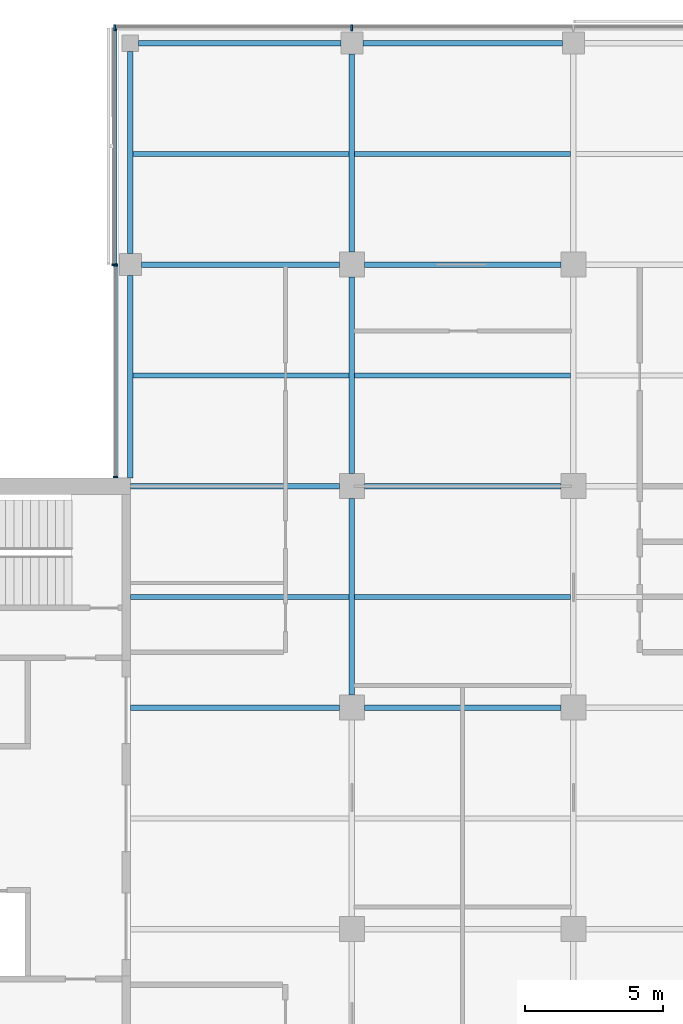
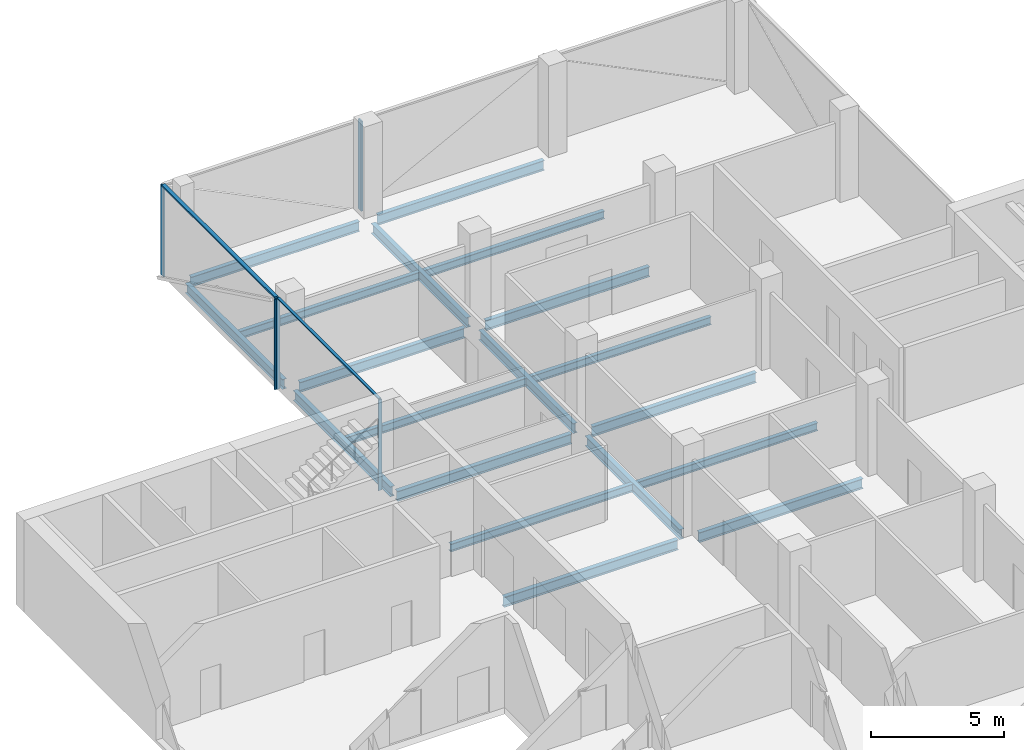
# One storey, part 5 of 16: 19 beams, 7 members, 3 elements without a shape of their own.
"""IFC4 building model written with IfcOpenShell, lengths in metres."""

from ifc_helpers import new_model, si_unit, direction, frame, origin, origin_2d, place, context, subcontext, project, spatial, rectangle, i_section, extrude, material, material_profile, profile_set, type_object, element, aggregate, save


model = new_model("IFC4")

# Units and contexts
model_context = context("Model", 3, precision=1e-05, world=origin(), true_north=direction((0.0, 1.0)))
body_context = subcontext(model_context, "Body", "Model", "MODEL_VIEW")
ifc_project = project(units=[si_unit("LENGTHUNIT", "METRE"), si_unit("AREAUNIT", "SQUARE_METRE"), si_unit("VOLUMEUNIT", "CUBIC_METRE"), si_unit("PLANEANGLEUNIT", "RADIAN"), si_unit("MASSUNIT", "GRAM", prefix="KILO")], contexts=[model_context])

# Site, building, storey
site_placement = place(None, origin())
site = spatial("IfcSite", under=ifc_project, at=site_placement, CompositionType="ELEMENT")
building_placement = place(site_placement, origin())
building = spatial("IfcBuilding", under=site, at=building_placement, Name="Crosswind Convention Tower", CompositionType="ELEMENT")
storey_placement = place(building_placement, frame((0.0, 0.0, 216.699951171875)))
storey = spatial("IfcBuildingStorey", under=building, at=storey_placement, Name="L46", CompositionType="ELEMENT", Elevation=216.699951171875)

# Beams
ifc_material_1 = material(Name="Steel S355", Category="steel")
ifc_material_profile_1 = material_profile(ifc_material_1, i_section(OverallWidth=0.18994140625, OverallDepth=0.45361328125, WebThickness=0.008544921875, FlangeThickness=0.0126953125, FilletRadius=0.01025390625, at=origin_2d()), Name="UB 457x191x67")
ifc_profile_set_1 = profile_set([ifc_material_profile_1], Name="Steel S355")
beam_type_1 = type_object("IfcBeamType", Name="Edge beam UB 457x191x67", PredefinedType="SPANDREL", material=ifc_profile_set_1)
for number, where, z_axis, x_axis, name in (
    (1, (113.0, 112.300048828125, -0.52685546875), (0.0, 1.0, 0.0), (-1.0, 0.0, 0.0), "B16 L46 edge beam 3"),
    (2, (113.0, 120.39990234375, -0.52685546875), (0.0, 1.0, 0.0), (-1.0, 0.0, 0.0), "B16 L46 edge beam 4"),
    (3, (113.300048828125, 128.0, -0.52685546875), (1.0, 0.0, 0.0), (0.0, 1.0, 0.0), "B16 L46 edge beam 6"),
):
    element("IfcBeam", number, at=place(storey_placement, frame(where, z_axis=z_axis, x_axis=x_axis)), inside=storey, type_object=beam_type_1, Name=name, PredefinedType="SPANDREL", context=body_context, shape_type="SweptSolid", body=[
        extrude(i_section(OverallWidth=0.18994140625, OverallDepth=0.45361328125, WebThickness=0.008544921875, FlangeThickness=0.0126953125, FilletRadius=0.01025390625, at=origin_2d()), origin(), (0.0, 0.0, 1.0), 7.300048828125),
    ])
beam_1_placement = place(storey_placement, frame((121.39990234375, 128.0, -0.52685546875), z_axis=(1.0, 0.0, 0.0), x_axis=(0.0, 1.0, 0.0)))
element("IfcBeam", 4, at=beam_1_placement, inside=storey, type_object=beam_type_1, Name="B16 L46 edge beam 8", PredefinedType="SPANDREL", context=body_context, shape_type="SweptSolid", body=[
    extrude(i_section(OverallWidth=0.18994140625, OverallDepth=0.45361328125, WebThickness=0.008544921875, FlangeThickness=0.0126953125, FilletRadius=0.01025390625, at=origin_2d()), origin(), (0.0, 0.0, 1.0), 7.2001953125),
])
ifc_material_profile_2 = material_profile(ifc_material_1, i_section(OverallWidth=0.1904296875, OverallDepth=0.457275390625, WebThickness=0.009033203125, FlangeThickness=0.014404296875, FilletRadius=0.01025390625, at=origin_2d()), Name="UB 457x191x75")
ifc_profile_set_2 = profile_set([ifc_material_profile_2], Name="Steel S355")
beam_type_2 = type_object("IfcBeamType", Name="Girder UB 457x191x75", PredefinedType="BEAM", material=ifc_profile_set_2)
beam_2_placement = place(storey_placement, frame((113.39990234375, 120.0, -0.528564453125), z_axis=(1.0, 0.0, 0.0), x_axis=(0.0, 1.0, 0.0)))
element("IfcBeam", 5, at=beam_2_placement, inside=storey, type_object=beam_type_2, Name="B2 L46 girder 2", PredefinedType="BEAM", context=body_context, shape_type="SweptSolid", body=[
    extrude(i_section(OverallWidth=0.1904296875, OverallDepth=0.457275390625, WebThickness=0.009033203125, FlangeThickness=0.014404296875, FilletRadius=0.01025390625, at=origin_2d()), origin(), (0.0, 0.0, 1.0), 7.150146484375),
])
for number, where, z_axis, x_axis, name in (
    (6, (121.0, 104.449951171875, -0.528564453125), (0.0, 1.0, 0.0), (-1.0, 0.0, 0.0), "B2 L46 girder 7"),
    (7, (121.0, 112.449951171875, -0.528564453125), (0.0, 1.0, 0.0), (-1.0, 0.0, 0.0), "B2 L46 girder 8"),
):
    element("IfcBeam", number, at=place(storey_placement, frame(where, z_axis=z_axis, x_axis=x_axis)), inside=storey, type_object=beam_type_2, Name=name, PredefinedType="BEAM", context=body_context, shape_type="SweptSolid", body=[
        extrude(i_section(OverallWidth=0.1904296875, OverallDepth=0.457275390625, WebThickness=0.009033203125, FlangeThickness=0.014404296875, FilletRadius=0.01025390625, at=origin_2d()), origin(), (0.0, 0.0, 1.0), 7.10009765625),
    ])
beam_3_placement = place(storey_placement, frame((121.0, 120.449951171875, -0.528564453125), z_axis=(0.0, 1.0, 0.0), x_axis=(-1.0, 0.0, 0.0)))
element("IfcBeam", 8, at=beam_3_placement, inside=storey, type_object=beam_type_2, Name="B2 L46 girder 9", PredefinedType="BEAM", context=body_context, shape_type="SweptSolid", body=[
    extrude(i_section(OverallWidth=0.1904296875, OverallDepth=0.457275390625, WebThickness=0.009033203125, FlangeThickness=0.014404296875, FilletRadius=0.01025390625, at=origin_2d()), origin(), (0.0, 0.0, 1.0), 7.150146484375),
])
for number, where, z_axis, x_axis, name in (
    (9, (121.449951171875, 104.0, -0.528564453125), (1.0, 0.0, 0.0), (0.0, 1.0, 0.0), "B2 L46 girder 13"),
    (10, (121.449951171875, 112.0, -0.528564453125), (1.0, 0.0, 0.0), (0.0, 1.0, 0.0), "B2 L46 girder 14"),
    (11, (121.449951171875, 120.0, -0.528564453125), (1.0, 0.0, 0.0), (0.0, 1.0, 0.0), "B2 L46 girder 15"),
):
    element("IfcBeam", number, at=place(storey_placement, frame(where, z_axis=z_axis, x_axis=x_axis)), inside=storey, type_object=beam_type_2, Name=name, PredefinedType="BEAM", context=body_context, shape_type="SweptSolid", body=[
        extrude(i_section(OverallWidth=0.1904296875, OverallDepth=0.457275390625, WebThickness=0.009033203125, FlangeThickness=0.014404296875, FilletRadius=0.01025390625, at=origin_2d()), origin(), (0.0, 0.0, 1.0), 7.10009765625),
    ])
ifc_material_profile_3 = material_profile(ifc_material_1, i_section(OverallWidth=0.19140625, OverallDepth=0.460205078125, WebThickness=0.010009765625, FlangeThickness=0.01611328125, FilletRadius=0.01025390625, at=origin_2d()), Name="UB 457x191x82")
ifc_profile_set_3 = profile_set([ifc_material_profile_3], Name="Steel S355")
beam_type_3 = type_object("IfcBeamType", Name="Girder at core wall UB 457x191x82", PredefinedType="BEAM", material=ifc_profile_set_3)
for number, where, z_axis, x_axis, name in (
    (12, (113.0, 104.0, -0.530029296875), (1.0, 0.0, 0.0), (0.0, 1.0, 0.0), "B23 L46 girder at core wall 3"),
    (13, (113.0, 112.0, -0.530029296875), (1.0, 0.0, 0.0), (0.0, 1.0, 0.0), "B23 L46 girder at core wall 4"),
):
    element("IfcBeam", number, at=place(storey_placement, frame(where, z_axis=z_axis, x_axis=x_axis)), inside=storey, type_object=beam_type_3, Name=name, PredefinedType="BEAM", context=body_context, shape_type="SweptSolid", body=[
        extrude(i_section(OverallWidth=0.19140625, OverallDepth=0.460205078125, WebThickness=0.010009765625, FlangeThickness=0.01611328125, FilletRadius=0.01025390625, at=origin_2d()), origin(), (0.0, 0.0, 1.0), 7.550048828125),
    ])

# Curtain wall, members
ifc_material_2 = material(Name="Aluminium unitised curtain wall", Category="aluminium")
curtain_wall_type_1 = type_object("IfcCurtainWallType", Name="CORE END SLOT WALL 160", PredefinedType="USERDEFINED", material=ifc_material_2)
curtain_wall_1_placement = place(storey_placement, origin())
curtain_wall_1 = element("IfcCurtainWall", 14, at=curtain_wall_1_placement, inside=storey, type_object=curtain_wall_type_1, Name="CW6 L46 N-W.1-2 slot", ObjectType="UNITISED", PredefinedType="USERDEFINED")
ifc_material_3 = material(Name="Aluminium mullion", Category="aluminium")
ifc_material_profile_4 = material_profile(ifc_material_3, rectangle(XDim=0.159912109375, YDim=0.050048828125, at=origin_2d()), Name="AL 160X50")
ifc_profile_set_4 = profile_set([ifc_material_profile_4], Name="Aluminium mullion")
member_type_1 = type_object("IfcMemberType", Name="MULLION 50X160", PredefinedType="MULLION", material=ifc_profile_set_4)
member_1_placement = place(storey_placement, frame((112.469970703125, 119.97509765625, -0.300048828125), z_axis=(0.0, 0.0, 1.0), x_axis=(-1.0, 0.0, 0.0)))
member_1 = element("IfcMember", 15, at=member_1_placement, type_object=member_type_1, Name="CW6 mullion 1", PredefinedType="MULLION", context=body_context, shape_type="SweptSolid", body=[
    extrude(rectangle(XDim=0.159912109375, YDim=0.050048828125, at=origin_2d()), origin(), (0.0, 0.0, 1.0), 4.150146484375),
])
member_2_placement = place(storey_placement, frame((112.469970703125, 112.324951171875, -0.300048828125), z_axis=(0.0, 0.0, 1.0), x_axis=(-1.0, 0.0, 0.0)))
member_2 = element("IfcMember", 16, at=member_2_placement, type_object=member_type_1, Name="CW6 mullion 2", PredefinedType="MULLION", context=body_context, shape_type="SweptSolid", body=[
    extrude(rectangle(XDim=0.159912109375, YDim=0.050048828125, at=origin_2d()), origin(), (0.0, 0.0, 1.0), 4.150146484375),
])

curtain_wall_type_2 = type_object("IfcCurtainWallType", Name="OFFICE UNITISED WALL 220", PredefinedType="USERDEFINED", material=ifc_material_2)
curtain_wall_2_placement = place(storey_placement, origin())
curtain_wall_2 = element("IfcCurtainWall", 17, at=curtain_wall_2_placement, inside=storey, type_object=curtain_wall_type_2, Name="CW3 L46 N-TIP 1", ObjectType="UNITISED", PredefinedType="USERDEFINED")
ifc_material_profile_5 = material_profile(ifc_material_3, rectangle(XDim=0.219970703125, YDim=0.070068359375, at=origin_2d()), Name="AL 220X70")
ifc_profile_set_5 = profile_set([ifc_material_profile_5], Name="Aluminium mullion")
member_type_2 = type_object("IfcMemberType", Name="MULLION 70X220", PredefinedType="MULLION", material=ifc_profile_set_5)
member_3_placement = place(storey_placement, frame((121.0, 128.56005859375, -0.300048828125), z_axis=(0.0, 0.0, 1.0), x_axis=(0.0, 1.0, 0.0)))
member_3 = element("IfcMember", 18, at=member_3_placement, type_object=member_type_2, Name="CW3 mullion 3", PredefinedType="MULLION", context=body_context, shape_type="SweptSolid", body=[
    extrude(rectangle(XDim=0.219970703125, YDim=0.070068359375, at=origin_2d()), origin(), (0.0, 0.0, 1.0), 4.130126953125),
])
member_4_placement = place(storey_placement, frame((112.43994140625, 128.56005859375, -0.300048828125), z_axis=(0.0, 0.0, 1.0), x_axis=(0.0, 1.0, 0.0)))
member_4 = element("IfcMember", 19, at=member_4_placement, type_object=member_type_2, Name="CW3 mullion 4", PredefinedType="MULLION", context=body_context, shape_type="SweptSolid", body=[
    extrude(rectangle(XDim=0.219970703125, YDim=0.070068359375, at=origin_2d()), origin(), (0.0, 0.0, 1.0), 4.130126953125),
])
aggregate(curtain_wall_2, [member_3, member_4])

# Curtain wall, member
curtain_wall_3_placement = place(storey_placement, origin())
curtain_wall_3 = element("IfcCurtainWall", 20, at=curtain_wall_3_placement, inside=storey, type_object=curtain_wall_type_2, Name="CW3 L46 N-W 1", ObjectType="UNITISED", PredefinedType="USERDEFINED")
member_5_placement = place(storey_placement, frame((112.43994140625, 120.0, -0.300048828125), z_axis=(0.0, 0.0, 1.0), x_axis=(-1.0, 0.0, 0.0)))
member_5 = element("IfcMember", 21, at=member_5_placement, type_object=member_type_2, Name="CW3 mullion 2", PredefinedType="MULLION", context=body_context, shape_type="SweptSolid", body=[
    extrude(rectangle(XDim=0.219970703125, YDim=0.070068359375, at=origin_2d()), origin(), (0.0, 0.0, 1.0), 4.130126953125),
])

# Beams
ifc_material_profile_6 = material_profile(ifc_material_1, i_section(OverallWidth=0.172119140625, OverallDepth=0.358642578125, WebThickness=0.008056640625, FlangeThickness=0.012939453125, FilletRadius=0.01025390625, at=origin_2d()), Name="UB 356x171x57")
ifc_profile_set_6 = profile_set([ifc_material_profile_6], Name="Steel S355")
beam_type_4 = type_object("IfcBeamType", Name="Secondary beam UB 356x171x57", PredefinedType="JOIST", material=ifc_profile_set_6)
beam_4_placement = place(storey_placement, frame((113.0, 108.0, -0.479248046875), z_axis=(1.0, 0.0, 0.0), x_axis=(0.0, 1.0, 0.0)))
element("IfcBeam", 22, at=beam_4_placement, inside=storey, type_object=beam_type_4, Name="B9 L46 secondary beam 3", PredefinedType="JOIST", context=body_context, shape_type="SweptSolid", body=[
    extrude(i_section(OverallWidth=0.172119140625, OverallDepth=0.358642578125, WebThickness=0.008056640625, FlangeThickness=0.012939453125, FilletRadius=0.01025390625, at=origin_2d()), origin(), (0.0, 0.0, 1.0), 7.90478515625),
])
for number, where, z_axis, x_axis, name in (
    (23, (113.094970703125, 116.0, -0.479248046875), (1.0, 0.0, 0.0), (0.0, 1.0, 0.0), "B9 L46 secondary beam 6"),
    (24, (113.094970703125, 124.0, -0.479248046875), (1.0, 0.0, 0.0), (0.0, 1.0, 0.0), "B9 L46 secondary beam 7"),
):
    element("IfcBeam", number, at=place(storey_placement, frame(where, z_axis=z_axis, x_axis=x_axis)), inside=storey, type_object=beam_type_4, Name=name, PredefinedType="JOIST", context=body_context, shape_type="SweptSolid", body=[
        extrude(i_section(OverallWidth=0.172119140625, OverallDepth=0.358642578125, WebThickness=0.008056640625, FlangeThickness=0.012939453125, FilletRadius=0.01025390625, at=origin_2d()), origin(), (0.0, 0.0, 1.0), 7.809814453125),
    ])
for number, where, z_axis, x_axis, name in (
    (25, (121.09521484375, 108.0, -0.479248046875), (1.0, 0.0, 0.0), (0.0, 1.0, 0.0), "B9 L46 secondary beam 12"),
    (26, (121.09521484375, 116.0, -0.479248046875), (1.0, 0.0, 0.0), (0.0, 1.0, 0.0), "B9 L46 secondary beam 13"),
    (27, (121.09521484375, 124.0, -0.479248046875), (1.0, 0.0, 0.0), (0.0, 1.0, 0.0), "B9 L46 secondary beam 14"),
):
    element("IfcBeam", number, at=place(storey_placement, frame(where, z_axis=z_axis, x_axis=x_axis)), inside=storey, type_object=beam_type_4, Name=name, PredefinedType="JOIST", context=body_context, shape_type="SweptSolid", body=[
        extrude(i_section(OverallWidth=0.172119140625, OverallDepth=0.358642578125, WebThickness=0.008056640625, FlangeThickness=0.012939453125, FilletRadius=0.01025390625, at=origin_2d()), origin(), (0.0, 0.0, 1.0), 7.8095703125),
    ])

# Member
ifc_material_4 = material(Name="Aluminium transom", Category="aluminium")
ifc_material_profile_7 = material_profile(ifc_material_4, rectangle(XDim=0.1201171875, YDim=0.050048828125, at=origin_2d()), Name="AL 120X50")
ifc_profile_set_7 = profile_set([ifc_material_profile_7], Name="Aluminium transom")
member_type_3 = type_object("IfcMemberType", Name="TRANSOM 50X120", PredefinedType="USERDEFINED", material=ifc_profile_set_7)
member_6_placement = place(storey_placement, frame((112.469970703125, 119.949951171875, 3.875), z_axis=(0.0, -1.0, 0.0), x_axis=(1.0, 0.0, 0.0)))
member_6 = element("IfcMember", 28, at=member_6_placement, type_object=member_type_3, Name="CW6 transom", ObjectType="TRANSOM", PredefinedType="USERDEFINED", context=body_context, shape_type="SweptSolid", body=[
    extrude(rectangle(XDim=0.1201171875, YDim=0.050048828125, at=origin_2d()), origin(), (0.0, 0.0, 1.0), 7.599853515625),
])

aggregate(curtain_wall_1, [member_1, member_2, member_6])

ifc_material_profile_8 = material_profile(ifc_material_4, rectangle(XDim=0.159912109375, YDim=0.070068359375, at=origin_2d()), Name="AL 160X70")
ifc_profile_set_8 = profile_set([ifc_material_profile_8], Name="Aluminium transom")
member_type_4 = type_object("IfcMemberType", Name="TRANSOM 70X160", PredefinedType="USERDEFINED", material=ifc_profile_set_8)
member_7_placement = place(storey_placement, frame((112.43994140625, 128.52490234375, 3.864990234375), z_axis=(0.0, -1.0, 0.0), x_axis=(1.0, 0.0, 0.0)))
member_7 = element("IfcMember", 29, at=member_7_placement, type_object=member_type_4, Name="CW3 transom", ObjectType="TRANSOM", PredefinedType="USERDEFINED", context=body_context, shape_type="SweptSolid", body=[
    extrude(rectangle(XDim=0.159912109375, YDim=0.070068359375, at=origin_2d()), origin(), (0.0, 0.0, 1.0), 8.489990234375),
])

aggregate(curtain_wall_3, [member_5, member_7])

save(model, "model.ifc")
